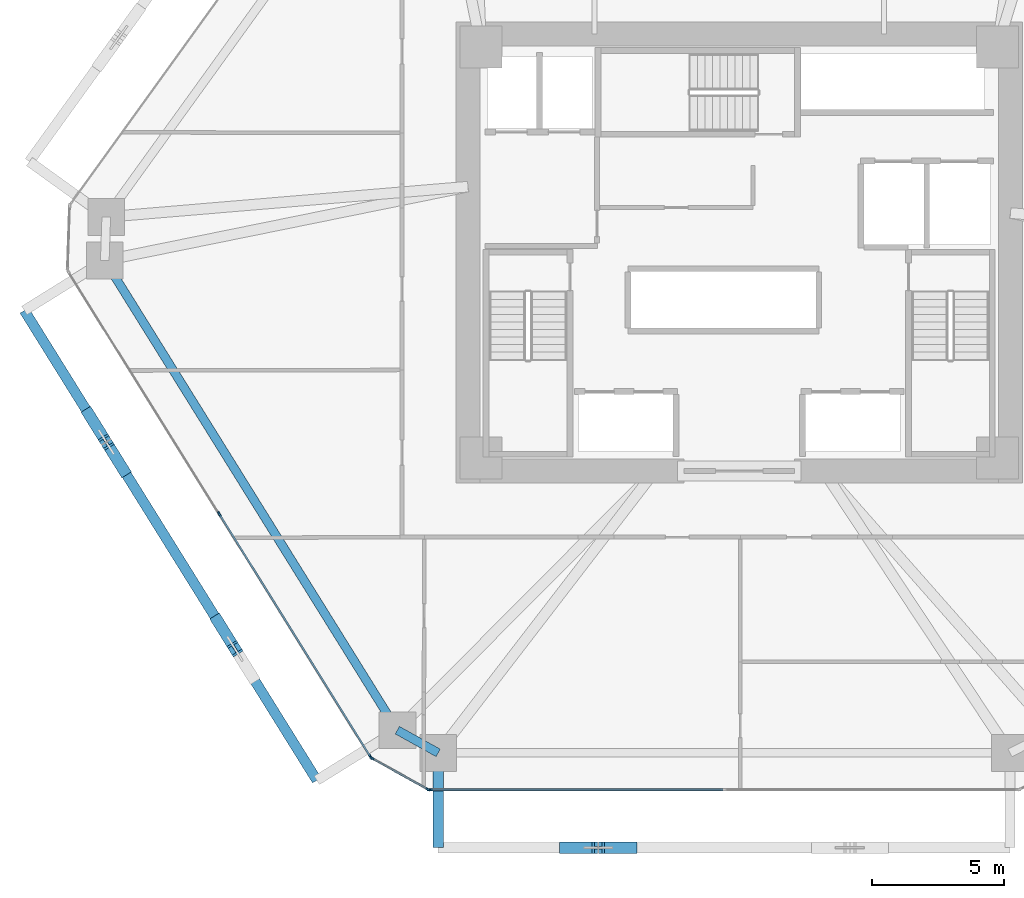
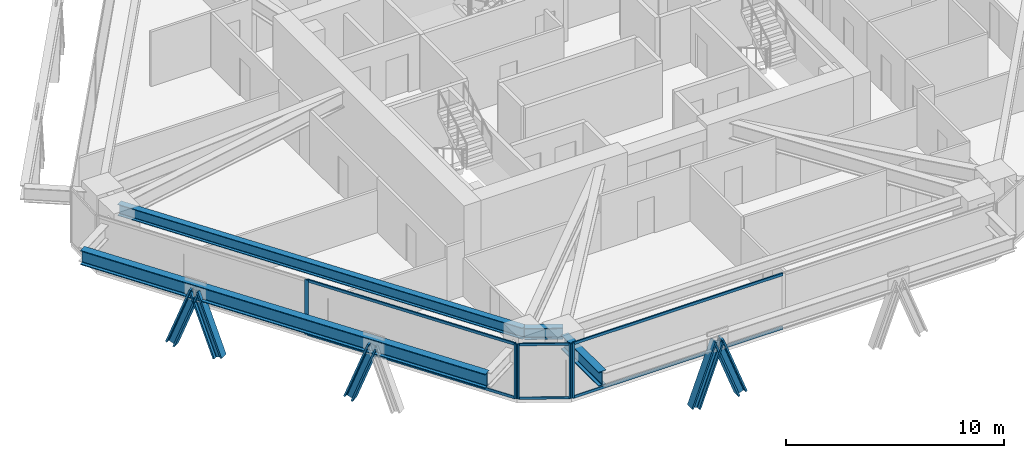
# One storey, part 2 of 17: 16 members, 4 beams, 3 elements without a shape of their own.
"""IFC4 building model written with IfcOpenShell, lengths in metres."""

from ifc_helpers import new_model, si_unit, direction, frame, origin, origin_2d, place, context, subcontext, project, spatial, rectangle, i_section, extrude, source, transform, mapped, material, layer, layer_set, material_profile, profile_set, type_object, type_shapes, element, aggregate, save


model = new_model("IFC4")

# Units and contexts
model_context = context("Model", 3, precision=1e-05, world=origin(), true_north=direction((0.0, 1.0)))
body_context = subcontext(model_context, "Body", "Model", "MODEL_VIEW")
ifc_project = project(units=[si_unit("LENGTHUNIT", "METRE"), si_unit("AREAUNIT", "SQUARE_METRE"), si_unit("VOLUMEUNIT", "CUBIC_METRE"), si_unit("PLANEANGLEUNIT", "RADIAN"), si_unit("MASSUNIT", "GRAM", prefix="KILO")], contexts=[model_context])

# Site, building, storey
site_placement = place(None, origin())
site = spatial("IfcSite", under=ifc_project, at=site_placement, CompositionType="ELEMENT")
building_placement = place(site_placement, origin())
building = spatial("IfcBuilding", under=site, at=building_placement, Name="Durnholm Broadcast Tower", CompositionType="ELEMENT")
storey_placement = place(building_placement, frame((0.0, 0.0, 72.0)))
storey = spatial("IfcBuildingStorey", under=building, at=storey_placement, Name="L18", CompositionType="ELEMENT", Elevation=72.0)

# Beams
ifc_material_1 = material(Name="Steel ASTM A992 Grade 50", Category="steel")
ifc_material_profile_1 = material_profile(ifc_material_1, i_section(OverallWidth=0.3291015625, OverallDepth=0.635009765625, WebThickness=0.017822265625, FlangeThickness=0.031005859375, FilletRadius=0.02783203125, at=origin_2d()), Name="W24X162")
ifc_profile_set_1 = profile_set([ifc_material_profile_1], Name="Steel ASTM A992 Grade 50")
beam_type_1 = type_object("IfcBeamType", Name="STL-SP-W24X162", PredefinedType="SPANDREL", material=ifc_profile_set_1)
shared_shape_1 = source(origin(), body_context, "Body", "SweptSolid", [
    extrude(i_section(OverallWidth=0.3291015625, OverallDepth=0.635009765625, WebThickness=0.017822265625, FlangeThickness=0.031005859375, FilletRadius=0.02783203125, at=origin_2d()), origin(), (0.0, 0.0, 1.0), 21.014404296875),
])
beam_1_placement = place(storey_placement, frame((-12.982666015625, -18.138427734375, 2.7275390625), z_axis=(-0.528595731543, 0.848873696491, 0.0), x_axis=(-0.848873696491, -0.528595731543, 0.0)))
element("IfcBeam", 1, at=beam_1_placement, inside=storey, type_object=beam_type_1, Name="L18 perimeter spandrel girder 01", PredefinedType="SPANDREL", context=body_context, shape_type="MappedRepresentation", body=[
    mapped(shared_shape_1, transform((0.0, 0.0, 0.0), x_axis=(1.0, 0.0, 0.0), y_axis=(0.0, 1.0, 0.0), z_axis=(0.0, 0.0, 1.0), scale=1.0)),
])
shared_shape_2 = source(origin(), body_context, "Body", "SweptSolid", [
    extrude(i_section(OverallWidth=0.3291015625, OverallDepth=0.635009765625, WebThickness=0.017822265625, FlangeThickness=0.031005859375, FilletRadius=0.02783203125, at=origin_2d()), origin(), (0.0, 0.0, 1.0), 1.774658203125),
])
type_shapes(beam_type_1, [shared_shape_1, shared_shape_2])
beam_2_placement = place(storey_placement, frame((-11.43115234375, -19.0, 2.7275390625), z_axis=(-0.874248107979, 0.485479397806, 0.0), x_axis=(-0.485479397806, -0.874248107979, 0.0)))
element("IfcBeam", 2, at=beam_2_placement, inside=storey, type_object=beam_type_1, Name="L18 perimeter spandrel girder 12", PredefinedType="SPANDREL", context=body_context, shape_type="MappedRepresentation", body=[
    mapped(shared_shape_2, transform((0.0, 0.0, 0.0), x_axis=(1.0, 0.0, 0.0), y_axis=(0.0, 1.0, 0.0), z_axis=(0.0, 0.0, 1.0), scale=1.0)),
])
ifc_material_profile_2 = material_profile(ifc_material_1, i_section(OverallWidth=0.385009765625, OverallDepth=0.802978515625, WebThickness=0.023681640625, FlangeThickness=0.0419921875, FilletRadius=0.032958984375, at=origin_2d()), Name="W30X261")
ifc_profile_set_2 = profile_set([ifc_material_profile_2], Name="Steel ASTM A992 Grade 50")
beam_type_2 = type_object("IfcBeamType", Name="BM-EXO-TIE", PredefinedType="USERDEFINED", material=ifc_profile_set_2)
shared_shape_3 = source(origin(), body_context, "Body", "SweptSolid", [
    extrude(i_section(OverallWidth=0.385009765625, OverallDepth=0.802978515625, WebThickness=0.023681640625, FlangeThickness=0.0419921875, FilletRadius=0.032958984375, at=origin_2d()), origin(), (0.0, 0.0, 1.0), 3.4560546875),
])
beam_3_placement = place(storey_placement, frame((-11.43115234375, -19.14404296875, 2.30859375), z_axis=(0.0, -1.0, 0.0), x_axis=(1.0, 0.0, 0.0)))
element("IfcBeam", 3, at=beam_3_placement, inside=storey, type_object=beam_type_2, Name="L18 exoskeleton stand-off tie bracket F1.1", ObjectType="GIRDER", PredefinedType="USERDEFINED", context=body_context, shape_type="MappedRepresentation", body=[
    mapped(shared_shape_3, transform((0.0, 0.0, 0.0), x_axis=(1.0, 0.0, 0.0), y_axis=(0.0, 1.0, 0.0), z_axis=(0.0, 0.0, 1.0), scale=1.0)),
])
shared_shape_4 = source(origin(), body_context, "Body", "SweptSolid", [
    extrude(i_section(OverallWidth=0.385009765625, OverallDepth=0.802978515625, WebThickness=0.023681640625, FlangeThickness=0.0419921875, FilletRadius=0.032958984375, at=origin_2d()), origin(), (0.0, 0.0, 1.0), 21.0146484375),
])
type_shapes(beam_type_2, [shared_shape_3, shared_shape_4])
beam_4_placement = place(storey_placement, frame((-27.146728515625, -2.20263671875, 2.30859375), z_axis=(0.528590518575, -0.848876942597, 0.0), x_axis=(0.848876942597, 0.528590518575, 0.0)))
element("IfcBeam", 4, at=beam_4_placement, inside=storey, type_object=beam_type_2, Name="L18 exoskeleton collector spandrel F6", PredefinedType="SPANDREL", context=body_context, shape_type="MappedRepresentation", body=[
    mapped(shared_shape_4, transform((0.0, 0.0, 0.0), x_axis=(1.0, 0.0, 0.0), y_axis=(0.0, 1.0, 0.0), z_axis=(0.0, 0.0, 1.0), scale=1.0)),
])

# Members
ifc_material_2 = material(Name="Steel ASTM A913 Grade 65", Category="steel")
ifc_material_profile_3 = material_profile(ifc_material_2, i_section(OverallWidth=0.43212890625, OverallDepth=0.497802734375, WebThickness=0.0556640625, FlangeThickness=0.0888671875, FilletRadius=0.030517578125, at=origin_2d()), Name="W14X500")
ifc_profile_set_3 = profile_set([ifc_material_profile_3], Name="Steel ASTM A913 Grade 65")
member_type_1 = type_object("IfcMemberType", Name="STL-DG-W14X500", PredefinedType="BRACE", material=ifc_profile_set_3)
shared_shape_5 = source(origin(), body_context, "Body", "SweptSolid", [
    extrude(i_section(OverallWidth=0.43212890625, OverallDepth=0.497802734375, WebThickness=0.0556640625, FlangeThickness=0.0888671875, FilletRadius=0.030517578125, at=origin_2d()), origin(), (0.0, 0.0, 1.0), 3.523193359375),
])
type_shapes(member_type_1, [shared_shape_5])
for number, where, z_axis, x_axis, name in (
    (5, (-6.585205078125, -22.60009765625, -0.991455078125), (0.350219588454, 0.0, 0.936667625075), (0.0, 1.0, 0.0), "L18 stand-off diagrid brace F1.D1.1"),
    (6, (-4.117431640625, -22.60009765625, -0.991455078125), (-0.350219588454, 0.0, 0.936667625075), (0.0, -1.0, 0.0), "L18 stand-off diagrid brace F1.D1.2"),
    (7, (-24.688720703125, -6.150146484375, -0.991455078125), (0.185157304084, -0.297277258428, 0.936665897941), (0.848819847179, 0.528682198523, 0.0), "L18 stand-off diagrid brace F6.D1.1"),
    (8, (-23.38427734375, -8.244873046875, -0.991455078125), (-0.185090383068, 0.297281072018, 0.936677913861), (-0.848908635391, -0.528539618911, 0.0), "L18 stand-off diagrid brace F6.D1.2"),
    (9, (-19.801025390625, -13.9990234375, -0.991455078125), (0.185090383068, -0.297281072018, 0.936677913861), (0.848908635391, 0.528539618911, 0.0), "L18 stand-off diagrid brace F6.D2.1"),
):
    element("IfcMember", number, at=place(storey_placement, frame(where, z_axis=z_axis, x_axis=x_axis)), inside=storey, type_object=member_type_1, Name=name, PredefinedType="BRACE", context=body_context, shape_type="MappedRepresentation", body=[
        mapped(shared_shape_5, transform((0.0, 0.0, 0.0), x_axis=(1.0, 0.0, 0.0), y_axis=(0.0, 1.0, 0.0), z_axis=(0.0, 0.0, 1.0), scale=1.0)),
    ])

# Curtain wall, members
ifc_material_3 = material(Name="Aluminium and Solar Control IGU", Category="aluminium")
ifc_layer_1 = layer(ifc_material_3, 0.1650390625)
ifc_layer_set_1 = layer_set([ifc_layer_1], Name="Aluminium and Solar Control IGU")
curtain_wall_type_1 = type_object("IfcCurtainWallType", Name="CW-SYS-5", PredefinedType="NOTDEFINED", material=ifc_layer_set_1)
curtain_wall_1_placement = place(storey_placement, origin())
curtain_wall_1 = element("IfcCurtainWall", 10, at=curtain_wall_1_placement, inside=storey, type_object=curtain_wall_type_1, Name="L18 curtain wall CW-CORNER CW-L18-CRN-11", PredefinedType="NOTDEFINED")
ifc_material_4 = material(Name="Aluminium 6063-T6", Category="aluminium")
ifc_material_profile_4 = material_profile(ifc_material_4, rectangle(XDim=0.06494140625, YDim=0.1650390625, at=origin_2d()), Name="CWM65X165")
ifc_profile_set_4 = profile_set([ifc_material_profile_4], Name="Aluminium 6063-T6")
member_type_2 = type_object("IfcMemberType", Name="CW-SYS-5-MUL", PredefinedType="MULLION", material=ifc_profile_set_4)
shared_shape_6 = source(origin(), body_context, "Body", "SweptSolid", [
    extrude(rectangle(XDim=0.06494140625, YDim=0.1650390625, at=origin_2d()), origin(), (0.0, 0.0, 1.0), 3.06005859375),
])
type_shapes(member_type_2, [shared_shape_6])
member_1_placement = place(storey_placement, frame((-11.822265625, -20.38427734375, 0.0), z_axis=(0.0, 0.0, 1.0), x_axis=(-0.485483299359, -0.874245941394, 0.0)))
member_1 = element("IfcMember", 11, at=member_1_placement, type_object=member_type_2, Name="CW-CORNER mullion 1", PredefinedType="MULLION", context=body_context, shape_type="MappedRepresentation", body=[
    mapped(shared_shape_6, transform((0.0, 0.0, 0.0), x_axis=(1.0, 0.0, 0.0), y_axis=(0.0, 1.0, 0.0), z_axis=(0.0, 0.0, 1.0), scale=1.0)),
])
member_2_placement = place(storey_placement, frame((-13.950927734375, -19.2021484375, 0.0), z_axis=(0.0, 0.0, 1.0), x_axis=(-0.485483299359, -0.874245941394, 0.0)))
member_2 = element("IfcMember", 12, at=member_2_placement, type_object=member_type_2, Name="CW-CORNER mullion 2", PredefinedType="MULLION", context=body_context, shape_type="MappedRepresentation", body=[
    mapped(shared_shape_6, transform((0.0, 0.0, 0.0), x_axis=(1.0, 0.0, 0.0), y_axis=(0.0, 1.0, 0.0), z_axis=(0.0, 0.0, 1.0), scale=1.0)),
])
ifc_material_profile_5 = material_profile(ifc_material_4, rectangle(XDim=0.06494140625, YDim=0.1298828125, at=origin_2d()), Name="CWT65X130")
ifc_profile_set_5 = profile_set([ifc_material_profile_5], Name="Aluminium 6063-T6")
member_type_3 = type_object("IfcMemberType", Name="CW-SYS-5-TRN", PredefinedType="USERDEFINED", material=ifc_profile_set_5)
shared_shape_7 = source(origin(), body_context, "Body", "SweptSolid", [
    extrude(rectangle(XDim=0.06494140625, YDim=0.1298828125, at=origin_2d()), origin(), (0.0, 0.0, 1.0), 2.3701171875),
])
type_shapes(member_type_3, [shared_shape_7])
member_3_placement = place(storey_placement, frame((-11.8505859375, -20.368408203125, 0.032470703125), z_axis=(-0.874244723151, 0.485485493132, 0.0), x_axis=(-0.485485493132, -0.874244723151, 0.0)))
member_3 = element("IfcMember", 13, at=member_3_placement, type_object=member_type_3, Name="CW-CORNER transom 1.1", ObjectType="TRANSOM", PredefinedType="USERDEFINED", context=body_context, shape_type="MappedRepresentation", body=[
    mapped(shared_shape_7, transform((0.0, 0.0, 0.0), x_axis=(1.0, 0.0, 0.0), y_axis=(0.0, 1.0, 0.0), z_axis=(0.0, 0.0, 1.0), scale=1.0)),
])
member_4_placement = place(storey_placement, frame((-11.8505859375, -20.368408203125, 3.027587890625), z_axis=(-0.874244723151, 0.485485493132, 0.0), x_axis=(-0.485485493132, -0.874244723151, 0.0)))
member_4 = element("IfcMember", 14, at=member_4_placement, type_object=member_type_3, Name="CW-CORNER transom 1.2", ObjectType="TRANSOM", PredefinedType="USERDEFINED", context=body_context, shape_type="MappedRepresentation", body=[
    mapped(shared_shape_7, transform((0.0, 0.0, 0.0), x_axis=(1.0, 0.0, 0.0), y_axis=(0.0, 1.0, 0.0), z_axis=(0.0, 0.0, 1.0), scale=1.0)),
])
aggregate(curtain_wall_1, [member_1, member_2, member_3, member_4])

# Curtain wall, member
ifc_layer_2 = layer(ifc_material_3, 0.18994140625)
ifc_layer_set_2 = layer_set([ifc_layer_2], Name="Aluminium and Solar Control IGU")
curtain_wall_type_2 = type_object("IfcCurtainWallType", Name="CW-SYS-3", PredefinedType="NOTDEFINED", material=ifc_layer_set_2)
curtain_wall_2_placement = place(storey_placement, origin())
curtain_wall_2 = element("IfcCurtainWall", 15, at=curtain_wall_2_placement, inside=storey, type_object=curtain_wall_type_2, Name="L18 curtain wall CW-Z12-VIS CW-L18-F10", PredefinedType="NOTDEFINED")
ifc_material_profile_6 = material_profile(ifc_material_4, rectangle(XDim=0.070068359375, YDim=0.18994140625, at=origin_2d()), Name="CWM70X190")
ifc_profile_set_6 = profile_set([ifc_material_profile_6], Name="Aluminium 6063-T6")
member_type_4 = type_object("IfcMemberType", Name="CW-SYS-3-MUL", PredefinedType="MULLION", material=ifc_profile_set_6)
shared_shape_8 = source(origin(), body_context, "Body", "SweptSolid", [
    extrude(rectangle(XDim=0.070068359375, YDim=0.18994140625, at=origin_2d()), origin(), (0.0, 0.0, 1.0), 3.06005859375),
])
type_shapes(member_type_4, [shared_shape_8])
member_5_placement = place(storey_placement, frame((-11.7587890625, -20.39990234375, 0.0), z_axis=(0.0, 0.0, 1.0), x_axis=(0.0, -1.0, 0.0)))
member_5 = element("IfcMember", 16, at=member_5_placement, type_object=member_type_4, Name="CW-Z12-VIS mullion 3", PredefinedType="MULLION", context=body_context, shape_type="MappedRepresentation", body=[
    mapped(shared_shape_8, transform((0.0, 0.0, 0.0), x_axis=(1.0, 0.0, 0.0), y_axis=(0.0, 1.0, 0.0), z_axis=(0.0, 0.0, 1.0), scale=1.0)),
])

# Curtain wall, members
curtain_wall_3_placement = place(storey_placement, origin())
curtain_wall_3 = element("IfcCurtainWall", 17, at=curtain_wall_3_placement, inside=storey, type_object=curtain_wall_type_2, Name="L18 curtain wall CW-Z12-VIS CW-L18-F12", PredefinedType="NOTDEFINED")
member_6_placement = place(storey_placement, frame((-13.997802734375, -19.156494140625, 0.0), z_axis=(0.0, 0.0, 1.0), x_axis=(-0.848875785503, -0.528592376777, 0.0)))
member_6 = element("IfcMember", 18, at=member_6_placement, type_object=member_type_4, Name="CW-Z12-VIS mullion 1", PredefinedType="MULLION", context=body_context, shape_type="MappedRepresentation", body=[
    mapped(shared_shape_8, transform((0.0, 0.0, 0.0), x_axis=(1.0, 0.0, 0.0), y_axis=(0.0, 1.0, 0.0), z_axis=(0.0, 0.0, 1.0), scale=1.0)),
])
member_7_placement = place(storey_placement, frame((-19.741943359375, -9.93212890625, 0.0), z_axis=(0.0, 0.0, 1.0), x_axis=(-0.848875785503, -0.528592376777, 0.0)))
member_7 = element("IfcMember", 19, at=member_7_placement, type_object=member_type_4, Name="CW-Z12-VIS mullion 2", PredefinedType="MULLION", context=body_context, shape_type="MappedRepresentation", body=[
    mapped(shared_shape_8, transform((0.0, 0.0, 0.0), x_axis=(1.0, 0.0, 0.0), y_axis=(0.0, 1.0, 0.0), z_axis=(0.0, 0.0, 1.0), scale=1.0)),
])
ifc_material_profile_7 = material_profile(ifc_material_4, rectangle(XDim=0.070068359375, YDim=0.14990234375, at=origin_2d()), Name="CWT70X150")
ifc_profile_set_7 = profile_set([ifc_material_profile_7], Name="Aluminium 6063-T6")
member_type_5 = type_object("IfcMemberType", Name="CW-SYS-3-TRN", PredefinedType="USERDEFINED", material=ifc_profile_set_7)
shared_shape_9 = source(origin(), body_context, "Body", "SweptSolid", [
    extrude(rectangle(XDim=0.070068359375, YDim=0.14990234375, at=origin_2d()), origin(), (0.0, 0.0, 1.0), 10.796630859375),
])
member_8_placement = place(storey_placement, frame((-14.016357421875, -19.126953125, 0.034912109375), z_axis=(-0.528591657678, 0.848876233283, 0.0), x_axis=(-0.848876233283, -0.528591657678, 0.0)))
member_8 = element("IfcMember", 20, at=member_8_placement, type_object=member_type_5, Name="CW-Z12-VIS transom 1.1", ObjectType="TRANSOM", PredefinedType="USERDEFINED", context=body_context, shape_type="MappedRepresentation", body=[
    mapped(shared_shape_9, transform((0.0, 0.0, 0.0), x_axis=(1.0, 0.0, 0.0), y_axis=(0.0, 1.0, 0.0), z_axis=(0.0, 0.0, 1.0), scale=1.0)),
])
member_9_placement = place(storey_placement, frame((-14.016357421875, -19.126953125, 3.02490234375), z_axis=(-0.528591657678, 0.848876233283, 0.0), x_axis=(-0.848876233283, -0.528591657678, 0.0)))
member_9 = element("IfcMember", 21, at=member_9_placement, type_object=member_type_5, Name="CW-Z12-VIS transom 1.2", ObjectType="TRANSOM", PredefinedType="USERDEFINED", context=body_context, shape_type="MappedRepresentation", body=[
    mapped(shared_shape_9, transform((0.0, 0.0, 0.0), x_axis=(1.0, 0.0, 0.0), y_axis=(0.0, 1.0, 0.0), z_axis=(0.0, 0.0, 1.0), scale=1.0)),
])
aggregate(curtain_wall_3, [member_6, member_7, member_8, member_9])

# Member
shared_shape_10 = source(origin(), body_context, "Body", "SweptSolid", [
    extrude(rectangle(XDim=0.070068359375, YDim=0.14990234375, at=origin_2d()), origin(), (0.0, 0.0, 1.0), 11.10205078125),
])
type_shapes(member_type_5, [shared_shape_9, shared_shape_10])
member_10_placement = place(storey_placement, frame((-0.621826171875, -20.39990234375, 0.034912109375), z_axis=(-1.0, 0.0, 0.0), x_axis=(0.0, -1.0, 0.0)))
member_10 = element("IfcMember", 22, at=member_10_placement, type_object=member_type_5, Name="CW-Z12-VIS transom 2.1", ObjectType="TRANSOM", PredefinedType="USERDEFINED", context=body_context, shape_type="MappedRepresentation", body=[
    mapped(shared_shape_10, transform((0.0, 0.0, 0.0), x_axis=(1.0, 0.0, 0.0), y_axis=(0.0, 1.0, 0.0), z_axis=(0.0, 0.0, 1.0), scale=1.0)),
])

member_11_placement = place(storey_placement, frame((-0.621826171875, -20.39990234375, 3.02490234375), z_axis=(-1.0, 0.0, 0.0), x_axis=(0.0, -1.0, 0.0)))
member_11 = element("IfcMember", 23, at=member_11_placement, type_object=member_type_5, Name="CW-Z12-VIS transom 2.2", ObjectType="TRANSOM", PredefinedType="USERDEFINED", context=body_context, shape_type="MappedRepresentation", body=[
    mapped(shared_shape_10, transform((0.0, 0.0, 0.0), x_axis=(1.0, 0.0, 0.0), y_axis=(0.0, 1.0, 0.0), z_axis=(0.0, 0.0, 1.0), scale=1.0)),
])

aggregate(curtain_wall_2, [member_5, member_10, member_11])

save(model, "model.ifc")
